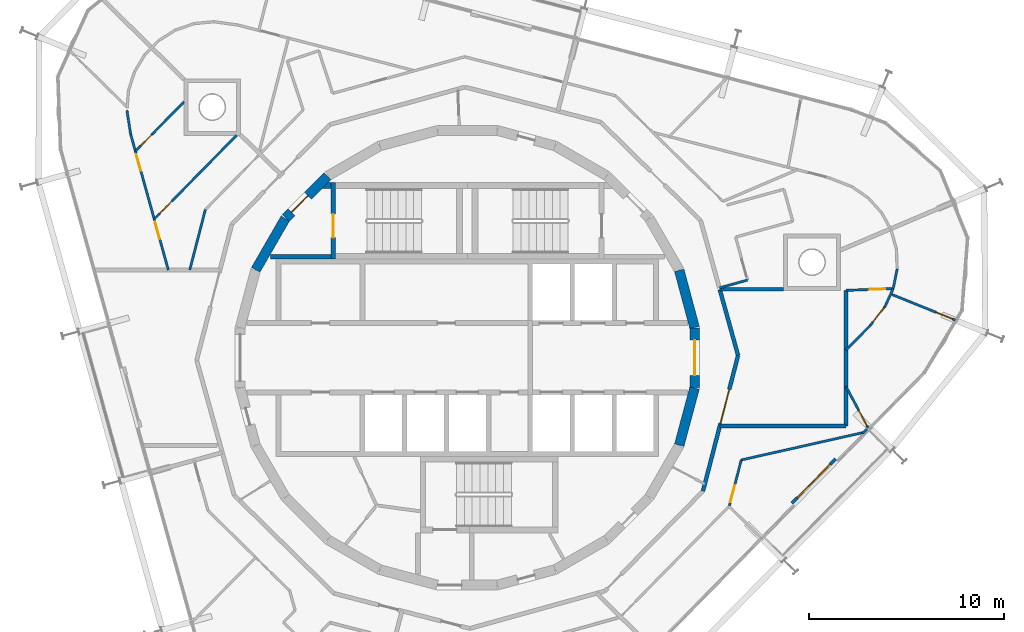
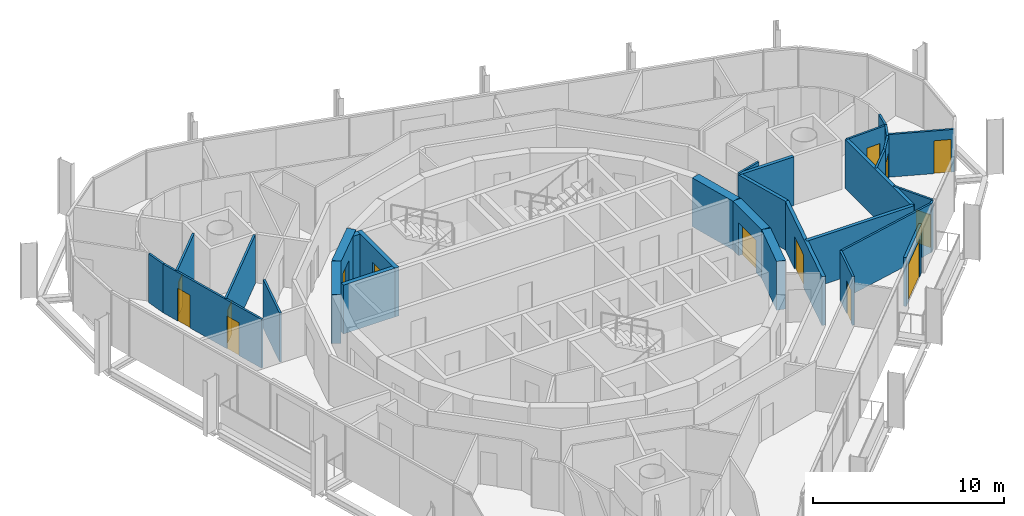
# One storey, part 12 of 15: 30 walls, 14 doors, 14 openings.
"""IFC4 building model written with IfcOpenShell, lengths in metres."""

from ifc_helpers import new_model, si_unit, direction, frame, frame_2d, origin, place, context, subcontext, project, spatial, polyline, rectangle, outline, extrude, material, layer, layer_set, type_object, element, fill, save


model = new_model("IFC4")

# Units and contexts
model_context = context("Model", 3, precision=1e-05, world=origin(), true_north=direction((0.0, 1.0)))
body_context = subcontext(model_context, "Body", "Model", "MODEL_VIEW")
ifc_project = project(units=[si_unit("LENGTHUNIT", "METRE"), si_unit("AREAUNIT", "SQUARE_METRE"), si_unit("VOLUMEUNIT", "CUBIC_METRE"), si_unit("PLANEANGLEUNIT", "RADIAN"), si_unit("MASSUNIT", "GRAM", prefix="KILO")], contexts=[model_context])

# Site, building, storey
site_placement = place(None, origin())
site = spatial("IfcSite", under=ifc_project, at=site_placement, CompositionType="ELEMENT")
building_placement = place(site_placement, origin())
building = spatial("IfcBuilding", under=site, at=building_placement, Name="Spindle Arch Residences", CompositionType="ELEMENT")
storey_placement = place(building_placement, frame((0.0, 0.0, 319.199951171875)))
storey = spatial("IfcBuildingStorey", under=building, at=storey_placement, Name="L82", CompositionType="ELEMENT", Elevation=319.199951171875)

# Wall
ifc_material_1 = material(Name="Concrete C50/60", Category="concrete")
ifc_layer_1 = layer(ifc_material_1, 0.5)
ifc_layer_set_1 = layer_set([ifc_layer_1], Name="Core outline wall 500")
wall_type_1 = type_object("IfcWallType", Name="Core outline wall 500", PredefinedType="SHEAR", material=ifc_layer_set_1)
wall_1_placement = place(storey_placement, frame((10.858154296875, -4.479248046875, 0.0), z_axis=(0.0, 0.0, 1.0), x_axis=(0.258734743916, 0.965948410781, 0.0)))
element("IfcWall", 1, at=wall_1_placement, inside=storey, type_object=wall_type_1, Name="Core outline wall 5", PredefinedType="SHEAR", context=body_context, shape_type="SweptSolid", body=[
    extrude(rectangle(XDim=3.03271484375, YDim=0.5, at=frame_2d((1.516357421875, 0.0))), origin(), (0.0, 0.0, 1.0), 3.1201171875),
])

# Wall, opening, door
wall_2_placement = place(storey_placement, frame((11.647216796875, -1.516357421875, 0.0), z_axis=(0.0, 0.0, 1.0), x_axis=(0.0, 1.0, 0.0)))
wall_2 = element("IfcWall", 2, at=wall_2_placement, inside=storey, type_object=wall_type_1, Name="Core outline wall 6", PredefinedType="SHEAR", context=body_context, shape_type="SweptSolid", body=[
    extrude(rectangle(XDim=3.03271484375, YDim=0.5, at=frame_2d((1.516357421875, 0.0))), origin(), (0.0, 0.0, 1.0), 3.1201171875),
])
opening_1_placement = place(wall_2_placement, frame((0.6162109375, 0.0, 0.0)))
opening_1 = element("IfcOpeningElement", 3, at=opening_1_placement, cuts=wall_2, Name="Opening R8C0-FE01", PredefinedType="OPENING", context=body_context, shape_type="SweptSolid", body=[
    extrude(rectangle(XDim=1.800048828125, YDim=2.10009765625, at=frame_2d((0.89990234375, 1.050048828125))), frame((0.0, 0.260009765625, 0.0), z_axis=(0.0, -1.0, 0.0), x_axis=(1.0, 0.0, 0.0)), (0.0, 0.0, 1.0), 0.52001953125),
])
ifc_material_2 = material(Name="Steel, fire-resisting door", Category="steel")
door_type_1 = type_object("IfcDoorType", Name="Fire-lift lobby door 1800x2100", OperationType="DOUBLE_DOOR_SINGLE_SWING", PredefinedType="DOOR", material=ifc_material_2)
door_1_placement = place(opening_1_placement, origin())
door_1 = element("IfcDoor", 4, at=door_1_placement, inside=storey, type_object=door_type_1, Name="Fire-lift lobby door R8C0-FE01", OperationType="DOUBLE_DOOR_SINGLE_SWING", OverallHeight=2.10009765625, OverallWidth=1.800048828125, PredefinedType="DOOR", context=body_context, shape_type="SweptSolid", body=[
    extrude(rectangle(XDim=1.800048828125, YDim=2.10009765625, at=frame_2d((0.89990234375, 1.050048828125))), frame((0.0, 0.02490234375, 0.0), z_axis=(0.0, -1.0, 0.0), x_axis=(1.0, 0.0, 0.0)), (0.0, 0.0, 1.0), 0.050048828125),
])
fill(opening_1, door_1)

# Wall
wall_3_placement = place(storey_placement, frame((11.642822265625, 1.5498046875, 0.0), z_axis=(0.0, 0.0, 1.0), x_axis=(-0.258734743916, 0.965948410781, 0.0)))
element("IfcWall", 5, at=wall_3_placement, inside=storey, type_object=wall_type_1, Name="Core outline wall 7", PredefinedType="SHEAR", context=body_context, shape_type="SweptSolid", body=[
    extrude(rectangle(XDim=3.03271484375, YDim=0.5, at=frame_2d((1.516357421875, 0.0))), origin(), (0.0, 0.0, 1.0), 3.1201171875),
])

# Wall, opening, door
wall_4_placement = place(storey_placement, frame((-7.163818359375, 9.30810546875, 0.0), z_axis=(0.0, 0.0, 1.0), x_axis=(-0.707106781187, -0.707106781187, 0.0)))
wall_4 = element("IfcWall", 6, at=wall_4_placement, inside=storey, type_object=wall_type_1, Name="Core outline wall 15", PredefinedType="SHEAR", context=body_context, shape_type="SweptSolid", body=[
    extrude(rectangle(XDim=3.032470703125, YDim=0.5, at=frame_2d((1.51611328125, 0.0))), origin(), (0.0, 0.0, 1.0), 3.1201171875),
])
opening_2_placement = place(wall_4_placement, frame((1.416259765625, 0.0, 0.0)))
opening_2 = element("IfcOpeningElement", 7, at=opening_2_placement, cuts=wall_4, Name="Opening R8C0-AD02", PredefinedType="OPENING", context=body_context, shape_type="SweptSolid", body=[
    extrude(rectangle(XDim=1.199951171875, YDim=2.10009765625, at=frame_2d((0.60009765625, 1.050048828125))), frame((0.0, 0.260009765625, 0.0), z_axis=(0.0, -1.0, 0.0), x_axis=(1.0, 0.0, 0.0)), (0.0, 0.0, 1.0), 0.52001953125),
])
ifc_material_3 = material(Name="Steel, fire-resisting door", Category="steel")
door_type_2 = type_object("IfcDoorType", Name="Stair airlock door 1200x2100", OperationType="SINGLE_SWING_LEFT", PredefinedType="DOOR", material=ifc_material_3)
door_2_placement = place(opening_2_placement, origin())
door_2 = element("IfcDoor", 8, at=door_2_placement, inside=storey, type_object=door_type_2, Name="Stair airlock door R8C0-AD02", OperationType="SINGLE_SWING_RIGHT", OverallHeight=2.10009765625, OverallWidth=1.199951171875, PredefinedType="DOOR", context=body_context, shape_type="SweptSolid", body=[
    extrude(rectangle(XDim=1.199951171875, YDim=2.10009765625, at=frame_2d((0.60009765625, 1.050048828125))), frame((0.0, 0.02490234375, 0.0), z_axis=(0.0, -1.0, 0.0), x_axis=(1.0, 0.0, 0.0)), (0.0, 0.0, 1.0), 0.050048828125),
])
fill(opening_2, door_2)

# Wall
wall_5_placement = place(storey_placement, frame((-9.32861328125, 7.13671875, 0.0), z_axis=(0.0, 0.0, 1.0), x_axis=(-0.500087131594, -0.865975092491, 0.0)))
element("IfcWall", 9, at=wall_5_placement, inside=storey, type_object=wall_type_1, Name="Core outline wall 16", PredefinedType="SHEAR", context=body_context, shape_type="SweptSolid", body=[
    extrude(rectangle(XDim=3.03271484375, YDim=0.5, at=frame_2d((1.516357421875, 0.0))), origin(), (0.0, 0.0, 1.0), 3.1201171875),
])

# Wall, opening, door
ifc_material_4 = material(Name="Calcium silicate block, plastered")
ifc_layer_2 = layer(ifc_material_4, 0.199951171875)
ifc_layer_set_2 = layer_set([ifc_layer_2], Name="Fire-lift lobby bay wall 200")
wall_type_2 = type_object("IfcWallType", Name="Fire-lift lobby bay wall 200", PredefinedType="STANDARD", material=ifc_layer_set_2)
wall_6_placement = place(storey_placement, frame((12.07421875, -6.831298828125, 0.0), z_axis=(0.0, 0.0, 1.0), x_axis=(0.250391063186, 0.968144780225, 0.0)))
wall_6 = element("IfcWall", 10, at=wall_6_placement, inside=storey, type_object=wall_type_2, Name="Fire-lift lobby bay wall R8C0-W004", PredefinedType="STANDARD", context=body_context, shape_type="SweptSolid", body=[
    extrude(rectangle(XDim=7.18115234375, YDim=0.199951171875, at=frame_2d((3.590576171875, 0.0))), origin(), (0.0, 0.0, 1.0), 3.1201171875),
])
opening_3_placement = place(wall_6_placement, frame((3.580810546875, 0.0, 0.0)))
opening_3 = element("IfcOpeningElement", 11, at=opening_3_placement, cuts=wall_6, Name="Opening R8C0-FB01", PredefinedType="OPENING", context=body_context, shape_type="SweptSolid", body=[
    extrude(rectangle(XDim=1.800048828125, YDim=2.10009765625, at=frame_2d((0.89990234375, 1.050048828125))), frame((0.0, 0.10986328125, 0.0), z_axis=(0.0, -1.0, 0.0), x_axis=(1.0, 0.0, 0.0)), (0.0, 0.0, 1.0), 0.219970703125),
])
ifc_material_5 = material(Name="Steel, fire-resisting door", Category="steel")
door_type_3 = type_object("IfcDoorType", Name="Fire-lift lobby bay door 1800x2100", OperationType="NOTDEFINED", PredefinedType="DOOR", material=ifc_material_5)
door_3_placement = place(opening_3_placement, origin())
door_3 = element("IfcDoor", 12, at=door_3_placement, inside=storey, type_object=door_type_3, Name="Fire-lift lobby bay door R8C0-FB01", OperationType="DOUBLE_DOOR_SINGLE_SWING", OverallHeight=2.10009765625, OverallWidth=1.800048828125, PredefinedType="DOOR", context=body_context, shape_type="SweptSolid", body=[
    extrude(rectangle(XDim=1.800048828125, YDim=2.10009765625, at=frame_2d((0.89990234375, 1.050048828125))), frame((0.0, 0.02490234375, 0.0), z_axis=(0.0, -1.0, 0.0), x_axis=(1.0, 0.0, 0.0)), (0.0, 0.0, 1.0), 0.050048828125),
])
fill(opening_3, door_3)

# Walls
wall_7_placement = place(storey_placement, frame((13.872314453125, 0.12109375, 0.0), z_axis=(0.0, 0.0, 1.0), x_axis=(-0.267291928416, 0.963615600228, 0.0)))
element("IfcWall", 13, at=wall_7_placement, inside=storey, type_object=wall_type_2, Name="Fire-lift lobby bay wall R8C0-W005", PredefinedType="STANDARD", context=body_context, shape_type="SweptSolid", body=[
    extrude(rectangle(XDim=3.506591796875, YDim=0.199951171875, at=frame_2d((1.75341796875, 0.0))), origin(), (0.0, 0.0, 1.0), 3.1201171875),
])
wall_8_placement = place(storey_placement, frame((16.20263671875, 3.510009765625, 0.0), z_axis=(0.0, 0.0, 1.0), x_axis=(-1.0, 0.0, 0.0)))
element("IfcWall", 14, at=wall_8_placement, inside=storey, type_object=wall_type_2, Name="Fire-lift lobby bay wall R8C0-W019", PredefinedType="STANDARD", context=body_context, shape_type="SweptSolid", body=[
    extrude(rectangle(XDim=3.260009765625, YDim=0.199951171875, at=frame_2d((1.6298828125, 0.0))), origin(), (0.0, 0.0, 1.0), 3.1201171875),
])
wall_9_placement = place(storey_placement, frame((12.935791015625, -3.5, 0.0), z_axis=(0.0, 0.0, 1.0), x_axis=(1.0, 0.0, 0.0)))
element("IfcWall", 15, at=wall_9_placement, inside=storey, type_object=wall_type_2, Name="Fire-lift lobby bay wall R8C0-W020", PredefinedType="STANDARD", context=body_context, shape_type="SweptSolid", body=[
    extrude(rectangle(XDim=6.464111328125, YDim=0.199951171875, at=frame_2d((3.23193359375, 0.0))), origin(), (0.0, 0.0, 1.0), 3.1201171875),
])
wall_10_placement = place(storey_placement, frame((19.39990234375, -3.5, 0.0), z_axis=(0.0, 0.0, 1.0), x_axis=(0.0, 1.0, 0.0)))
element("IfcWall", 16, at=wall_10_placement, inside=storey, type_object=wall_type_2, Name="Fire-lift lobby bay wall R8C0-W021", PredefinedType="STANDARD", context=body_context, shape_type="SweptSolid", body=[
    extrude(rectangle(XDim=6.953857421875, YDim=0.199951171875, at=frame_2d((3.47705078125, 0.0))), origin(), (0.0, 0.0, 1.0), 3.1201171875),
])
ifc_material_6 = material(Name="Plasterboard on steel studs", Category="steel")
ifc_layer_3 = layer(ifc_material_6, 0.1201171875)
ifc_layer_set_3 = layer_set([ifc_layer_3], Name="Flat partition 120")
wall_type_3 = type_object("IfcWallType", Name="Flat partition 120", PredefinedType="PARTITIONING", material=ifc_layer_set_3)
wall_11_placement = place(storey_placement, frame((12.927001953125, 3.5849609375, 0.0), z_axis=(0.0, 0.0, 1.0), x_axis=(0.963616756608, 0.26728775951, 0.0)))
element("IfcWall", 17, at=wall_11_placement, inside=storey, type_object=wall_type_3, Name="Flat partition R8C0-W030", PredefinedType="PARTITIONING", context=body_context, shape_type="SweptSolid", body=[
    extrude(rectangle(XDim=1.485107421875, YDim=0.1201171875, at=frame_2d((0.74267578125, 0.0))), origin(), (0.0, 0.0, 1.0), 3.1201171875),
])
wall_12_placement = place(storey_placement, frame((-13.42578125, 7.595947265625, 0.0), z_axis=(0.0, 0.0, 1.0), x_axis=(-0.250342106136, -0.968157440655, 0.0)))
element("IfcWall", 18, at=wall_12_placement, inside=storey, type_object=wall_type_3, Name="Flat partition R8C0-W058", PredefinedType="PARTITIONING", context=body_context, shape_type="SweptSolid", body=[
    extrude(rectangle(XDim=3.19775390625, YDim=0.1201171875, at=frame_2d((1.598876953125, 0.0))), origin(), (0.0, 0.0, 1.0), 3.1201171875),
])

# Wall, opening, door
wall_13_placement = place(storey_placement, frame((-17.01123046875, 10.582275390625, 0.0), z_axis=(0.0, 0.0, 1.0), x_axis=(0.700924288011, 0.713235685083, 0.0)))
wall_13 = element("IfcWall", 19, at=wall_13_placement, inside=storey, type_object=wall_type_3, Name="Flat partition R8C0-W063", PredefinedType="PARTITIONING", context=body_context, shape_type="SweptSolid", body=[
    extrude(rectangle(XDim=3.549560546875, YDim=0.1201171875, at=frame_2d((1.77490234375, 0.0))), origin(), (0.0, 0.0, 1.0), 3.1201171875),
])
opening_4_placement = place(wall_13_placement, frame((0.39990234375, 0.0, 0.0)))
opening_4 = element("IfcOpeningElement", 20, at=opening_4_placement, cuts=wall_13, Name="Opening R8C0-BD03", PredefinedType="OPENING", context=body_context, shape_type="SweptSolid", body=[
    extrude(rectangle(XDim=0.800048828125, YDim=2.10009765625, at=frame_2d((0.39990234375, 1.050048828125))), frame((0.0, 0.070068359375, 0.0), z_axis=(0.0, -1.0, 0.0), x_axis=(1.0, 0.0, 0.0)), (0.0, 0.0, 1.0), 0.14013671875),
])
ifc_material_7 = material(Name="Timber door set", Category="wood")
door_type_4 = type_object("IfcDoorType", Name="Bathroom door 800x2100", OperationType="NOTDEFINED", PredefinedType="DOOR", material=ifc_material_7)
door_4_placement = place(opening_4_placement, origin())
door_4 = element("IfcDoor", 21, at=door_4_placement, inside=storey, type_object=door_type_4, Name="Bathroom door R8C0-BD03", OperationType="SINGLE_SWING_LEFT", OverallHeight=2.10009765625, OverallWidth=0.800048828125, PredefinedType="DOOR", context=body_context, shape_type="SweptSolid", body=[
    extrude(rectangle(XDim=0.800048828125, YDim=2.10009765625, at=frame_2d((0.39990234375, 1.050048828125))), frame((0.0, 0.02490234375, 0.0), z_axis=(0.0, -1.0, 0.0), x_axis=(1.0, 0.0, 0.0)), (0.0, 0.0, 1.0), 0.050048828125),
])
fill(opening_4, door_4)

# Wall
wall_14_placement = place(storey_placement, frame((-17.44580078125, 12.681640625, 0.0), z_axis=(0.0, 0.0, 1.0), x_axis=(0.153612025092, -0.988131239131, 0.0)))
element("IfcWall", 22, at=wall_14_placement, inside=storey, type_object=wall_type_3, Name="Flat partition R8C0-W064", PredefinedType="PARTITIONING", context=body_context, shape_type="SweptSolid", body=[
    extrude(rectangle(XDim=1.22705078125, YDim=0.1201171875, at=frame_2d((0.613525390625, 0.0))), origin(), (0.0, 0.0, 1.0), 3.1201171875),
])

# Wall, openings, doors
wall_15_placement = place(storey_placement, frame((-17.25732421875, 11.46923828125, 0.0), z_axis=(0.0, 0.0, 1.0), x_axis=(0.267222501114, -0.963634855585, 0.0)))
wall_15 = element("IfcWall", 23, at=wall_15_placement, inside=storey, type_object=wall_type_3, Name="Flat partition R8C0-W065", PredefinedType="PARTITIONING", context=body_context, shape_type="SweptSolid", body=[
    extrude(rectangle(XDim=7.232177734375, YDim=0.1201171875, at=frame_2d((3.6162109375, 0.0))), origin(), (0.0, 0.0, 1.0), 3.1201171875),
])
opening_5_placement = place(wall_15_placement, frame((1.07421875, 0.0, 0.0)))
opening_5 = element("IfcOpeningElement", 24, at=opening_5_placement, cuts=wall_15, Name="Opening R8C0-ID10", PredefinedType="OPENING", context=body_context, shape_type="SweptSolid", body=[
    extrude(rectangle(XDim=0.89990234375, YDim=2.10009765625, at=frame_2d((0.449951171875, 1.050048828125))), frame((0.0, 0.070068359375, 0.0), z_axis=(0.0, -1.0, 0.0), x_axis=(1.0, 0.0, 0.0)), (0.0, 0.0, 1.0), 0.14013671875),
])
opening_6_placement = place(wall_15_placement, frame((4.682373046875, 0.0, 0.0)))
opening_6 = element("IfcOpeningElement", 25, at=opening_6_placement, cuts=wall_15, Name="Opening R8C0-ID12", PredefinedType="OPENING", context=body_context, shape_type="SweptSolid", body=[
    extrude(rectangle(XDim=0.89990234375, YDim=2.10009765625, at=frame_2d((0.449951171875, 1.050048828125))), frame((0.0, 0.070068359375, 0.0), z_axis=(0.0, -1.0, 0.0), x_axis=(1.0, 0.0, 0.0)), (0.0, 0.0, 1.0), 0.14013671875),
])
ifc_material_8 = material(Name="Timber door set", Category="wood")
door_type_5 = type_object("IfcDoorType", Name="Room door 900x2100", OperationType="NOTDEFINED", PredefinedType="DOOR", material=ifc_material_8)
door_5_placement = place(opening_5_placement, origin())
door_5 = element("IfcDoor", 26, at=door_5_placement, inside=storey, type_object=door_type_5, Name="Room door R8C0-ID10", OperationType="SINGLE_SWING_LEFT", OverallHeight=2.10009765625, OverallWidth=0.89990234375, PredefinedType="DOOR", context=body_context, shape_type="SweptSolid", body=[
    extrude(rectangle(XDim=0.89990234375, YDim=2.10009765625, at=frame_2d((0.449951171875, 1.050048828125))), frame((0.0, 0.02490234375, 0.0), z_axis=(0.0, -1.0, 0.0), x_axis=(1.0, 0.0, 0.0)), (0.0, 0.0, 1.0), 0.050048828125),
])
fill(opening_5, door_5)
door_6_placement = place(opening_6_placement, origin())
door_6 = element("IfcDoor", 27, at=door_6_placement, inside=storey, type_object=door_type_5, Name="Room door R8C0-ID12", OperationType="SINGLE_SWING_RIGHT", OverallHeight=2.10009765625, OverallWidth=0.89990234375, PredefinedType="DOOR", context=body_context, shape_type="SweptSolid", body=[
    extrude(rectangle(XDim=0.89990234375, YDim=2.10009765625, at=frame_2d((0.449951171875, 1.050048828125))), frame((0.0, 0.02490234375, 0.0), z_axis=(0.0, -1.0, 0.0), x_axis=(1.0, 0.0, 0.0)), (0.0, 0.0, 1.0), 0.050048828125),
])
fill(opening_6, door_6)

# Wall, opening, door
wall_16_placement = place(storey_placement, frame((-16.047119140625, 7.105224609375, 0.0), z_axis=(0.0, 0.0, 1.0), x_axis=(0.700892382646, 0.713267038316, 0.0)))
wall_16 = element("IfcWall", 28, at=wall_16_placement, inside=storey, type_object=wall_type_3, Name="Flat partition R8C0-W066", PredefinedType="PARTITIONING", context=body_context, shape_type="SweptSolid", body=[
    extrude(rectangle(XDim=6.017333984375, YDim=0.1201171875, at=frame_2d((3.0087890625, 0.0))), origin(), (0.0, 0.0, 1.0), 3.1201171875),
])
opening_7_placement = place(wall_16_placement, frame((0.39990234375, 0.0, 0.0)))
opening_7 = element("IfcOpeningElement", 29, at=opening_7_placement, cuts=wall_16, Name="Opening R8C0-ID09", PredefinedType="OPENING", context=body_context, shape_type="SweptSolid", body=[
    extrude(rectangle(XDim=0.89990234375, YDim=2.10009765625, at=frame_2d((0.449951171875, 1.050048828125))), frame((0.0, 0.070068359375, 0.0), z_axis=(0.0, -1.0, 0.0), x_axis=(1.0, 0.0, 0.0)), (0.0, 0.0, 1.0), 0.14013671875),
])
door_7_placement = place(opening_7_placement, origin())
door_7 = element("IfcDoor", 30, at=door_7_placement, inside=storey, type_object=door_type_5, Name="Room door R8C0-ID09", OperationType="SINGLE_SWING_LEFT", OverallHeight=2.10009765625, OverallWidth=0.89990234375, PredefinedType="DOOR", context=body_context, shape_type="SweptSolid", body=[
    extrude(rectangle(XDim=0.89990234375, YDim=2.10009765625, at=frame_2d((0.449951171875, 1.050048828125))), frame((0.0, 0.02490234375, 0.0), z_axis=(0.0, -1.0, 0.0), x_axis=(1.0, 0.0, 0.0)), (0.0, 0.0, 1.0), 0.050048828125),
])
fill(opening_7, door_7)

wall_17_placement = place(storey_placement, frame((20.534912109375, -3.592529296875, 0.0), z_axis=(0.0, 0.0, 1.0), x_axis=(-0.471340561072, 0.881951288614, 0.0)))
wall_17 = element("IfcWall", 31, at=wall_17_placement, inside=storey, type_object=wall_type_3, Name="Flat partition R8C0-W092", PredefinedType="PARTITIONING", context=body_context, shape_type="SweptSolid", body=[
    extrude(rectangle(XDim=2.407958984375, YDim=0.1201171875, at=frame_2d((1.2041015625, 0.0))), origin(), (0.0, 0.0, 1.0), 3.1201171875),
])
opening_8_placement = place(wall_17_placement, frame((0.1201171875, 0.0, 0.0)))
opening_8 = element("IfcOpeningElement", 32, at=opening_8_placement, cuts=wall_17, Name="Opening R8C0-ID21", PredefinedType="OPENING", context=body_context, shape_type="SweptSolid", body=[
    extrude(rectangle(XDim=0.89990234375, YDim=2.10009765625, at=frame_2d((0.449951171875, 1.050048828125))), frame((0.0, 0.070068359375, 0.0), z_axis=(0.0, -1.0, 0.0), x_axis=(1.0, 0.0, 0.0)), (0.0, 0.0, 1.0), 0.14013671875),
])
door_8_placement = place(opening_8_placement, origin())
door_8 = element("IfcDoor", 33, at=door_8_placement, inside=storey, type_object=door_type_5, Name="Room door R8C0-ID21", OperationType="SINGLE_SWING_RIGHT", OverallHeight=2.10009765625, OverallWidth=0.89990234375, PredefinedType="DOOR", context=body_context, shape_type="SweptSolid", body=[
    extrude(rectangle(XDim=0.89990234375, YDim=2.10009765625, at=frame_2d((0.449951171875, 1.050048828125))), frame((0.0, 0.02490234375, 0.0), z_axis=(0.0, -1.0, 0.0), x_axis=(1.0, 0.0, 0.0)), (0.0, 0.0, 1.0), 0.050048828125),
])
fill(opening_8, door_8)

wall_18_placement = place(storey_placement, frame((13.42578125, -7.595947265625, 0.0), z_axis=(0.0, 0.0, 1.0), x_axis=(0.250402253482, 0.968141886012, 0.0)))
wall_18 = element("IfcWall", 34, at=wall_18_placement, inside=storey, type_object=wall_type_3, Name="Flat partition R8C0-W094", PredefinedType="PARTITIONING", context=body_context, shape_type="SweptSolid", body=[
    extrude(rectangle(XDim=2.4365234375, YDim=0.1201171875, at=frame_2d((1.21826171875, 0.0))), origin(), (0.0, 0.0, 1.0), 3.1201171875),
])
opening_9_placement = place(wall_18_placement, frame((0.199951171875, 0.0, 0.0)))
opening_9 = element("IfcOpeningElement", 35, at=opening_9_placement, cuts=wall_18, Name="Opening R8C0-ID23", PredefinedType="OPENING", context=body_context, shape_type="SweptSolid", body=[
    extrude(rectangle(XDim=0.89990234375, YDim=2.10009765625, at=frame_2d((0.449951171875, 1.050048828125))), frame((0.0, 0.070068359375, 0.0), z_axis=(0.0, -1.0, 0.0), x_axis=(1.0, 0.0, 0.0)), (0.0, 0.0, 1.0), 0.14013671875),
])
door_9_placement = place(opening_9_placement, origin())
door_9 = element("IfcDoor", 36, at=door_9_placement, inside=storey, type_object=door_type_5, Name="Room door R8C0-ID23", OperationType="SINGLE_SWING_RIGHT", OverallHeight=2.10009765625, OverallWidth=0.89990234375, PredefinedType="DOOR", context=body_context, shape_type="SweptSolid", body=[
    extrude(rectangle(XDim=0.89990234375, YDim=2.10009765625, at=frame_2d((0.449951171875, 1.050048828125))), frame((0.0, 0.02490234375, 0.0), z_axis=(0.0, -1.0, 0.0), x_axis=(1.0, 0.0, 0.0)), (0.0, 0.0, 1.0), 0.050048828125),
])
fill(opening_9, door_9)

# Walls
wall_19_placement = place(storey_placement, frame((14.035888671875, -5.237060546875, 0.0), z_axis=(0.0, 0.0, 1.0), x_axis=(0.975645756324, 0.219352132805, 0.0)))
element("IfcWall", 37, at=wall_19_placement, inside=storey, type_object=wall_type_3, Name="Flat partition R8C0-W095", PredefinedType="PARTITIONING", context=body_context, shape_type="SweptSolid", body=[
    extrude(rectangle(XDim=6.42431640625, YDim=0.1201171875, at=frame_2d((3.212158203125, 0.0))), origin(), (0.0, 0.0, 1.0), 3.1201171875),
])
wall_20_placement = place(storey_placement, frame((20.471435546875, -3.6572265625, 0.0), z_axis=(0.0, 0.0, 1.0), x_axis=(-0.700842635321, -0.713315919153, 0.0)))
element("IfcWall", 38, at=wall_20_placement, inside=storey, type_object=wall_type_3, Name="Flat partition R8C0-W096", PredefinedType="PARTITIONING", context=body_context, shape_type="SweptSolid", body=[
    extrude(rectangle(XDim=0.313232421875, YDim=0.1201171875, at=frame_2d((0.15673828125, 0.0))), origin(), (0.0, 0.0, 1.0), 3.1201171875),
])
wall_21_placement = place(storey_placement, frame((21.827880859375, 3.558349609375, 0.0), z_axis=(0.0, 0.0, 1.0), x_axis=(-0.414726005229, -0.909946339399, 0.0)))
element("IfcWall", 39, at=wall_21_placement, inside=storey, type_object=wall_type_3, Name="Flat partition R8C0-W097", PredefinedType="PARTITIONING", context=body_context, shape_type="SweptSolid", body=[
    extrude(rectangle(XDim=1.01611328125, YDim=0.1201171875, at=frame_2d((0.508056640625, 0.0))), origin(), (0.0, 0.0, 1.0), 3.1201171875),
])

# Wall, opening, door
wall_22_placement = place(storey_placement, frame((21.406494140625, 2.6337890625, 0.0), z_axis=(0.0, 0.0, 1.0), x_axis=(-0.613444581667, -0.789737769911, 0.0)))
wall_22 = element("IfcWall", 40, at=wall_22_placement, inside=storey, type_object=wall_type_3, Name="Flat partition R8C0-W098", PredefinedType="PARTITIONING", context=body_context, shape_type="SweptSolid", body=[
    extrude(rectangle(XDim=1.22705078125, YDim=0.1201171875, at=frame_2d((0.613525390625, 0.0))), origin(), (0.0, 0.0, 1.0), 3.1201171875),
])
opening_10_placement = place(wall_22_placement, frame((0.1201171875, 0.0, 0.0)))
opening_10 = element("IfcOpeningElement", 41, at=opening_10_placement, cuts=wall_22, Name="Opening R8C0-ID24", PredefinedType="OPENING", context=body_context, shape_type="SweptSolid", body=[
    extrude(rectangle(XDim=0.89990234375, YDim=2.10009765625, at=frame_2d((0.449951171875, 1.050048828125))), frame((0.0, 0.070068359375, 0.0), z_axis=(0.0, -1.0, 0.0), x_axis=(1.0, 0.0, 0.0)), (0.0, 0.0, 1.0), 0.14013671875),
])
door_10_placement = place(opening_10_placement, origin())
door_10 = element("IfcDoor", 42, at=door_10_placement, inside=storey, type_object=door_type_5, Name="Room door R8C0-ID24", OperationType="SINGLE_SWING_RIGHT", OverallHeight=2.10009765625, OverallWidth=0.89990234375, PredefinedType="DOOR", context=body_context, shape_type="SweptSolid", body=[
    extrude(rectangle(XDim=0.89990234375, YDim=2.10009765625, at=frame_2d((0.449951171875, 1.050048828125))), frame((0.0, 0.02490234375, 0.0), z_axis=(0.0, -1.0, 0.0), x_axis=(1.0, 0.0, 0.0)), (0.0, 0.0, 1.0), 0.050048828125),
])
fill(opening_10, door_10)

# Wall
wall_23_placement = place(storey_placement, frame((20.65380859375, 1.664794921875, 0.0), z_axis=(0.0, 0.0, 1.0), x_axis=(-0.700870484553, -0.713288555833, 0.0)))
element("IfcWall", 43, at=wall_23_placement, inside=storey, type_object=wall_type_3, Name="Flat partition R8C0-W099", PredefinedType="PARTITIONING", context=body_context, shape_type="SweptSolid", body=[
    extrude(rectangle(XDim=1.7890625, YDim=0.1201171875, at=frame_2d((0.89453125, 0.0))), origin(), (0.0, 0.0, 1.0), 3.1201171875),
])

# Wall, opening, door
wall_24_placement = place(storey_placement, frame((21.822021484375, 3.54541015625, 0.0), z_axis=(0.0, 0.0, 1.0), x_axis=(-0.999286397149, -0.037771635816, 0.0)))
wall_24 = element("IfcWall", 44, at=wall_24_placement, inside=storey, type_object=wall_type_3, Name="Flat partition R8C0-W101", PredefinedType="PARTITIONING", context=body_context, shape_type="SweptSolid", body=[
    extrude(rectangle(XDim=2.423828125, YDim=0.1201171875, at=frame_2d((1.2119140625, 0.0))), origin(), (0.0, 0.0, 1.0), 3.1201171875),
])
opening_11_placement = place(wall_24_placement, frame((0.39990234375, 0.0, 0.0)))
opening_11 = element("IfcOpeningElement", 45, at=opening_11_placement, cuts=wall_24, Name="Opening R8C0-BD06", PredefinedType="OPENING", context=body_context, shape_type="SweptSolid", body=[
    extrude(rectangle(XDim=0.800048828125, YDim=2.10009765625, at=frame_2d((0.39990234375, 1.050048828125))), frame((0.0, 0.070068359375, 0.0), z_axis=(0.0, -1.0, 0.0), x_axis=(1.0, 0.0, 0.0)), (0.0, 0.0, 1.0), 0.14013671875),
])
door_11_placement = place(opening_11_placement, origin())
door_11 = element("IfcDoor", 46, at=door_11_placement, inside=storey, type_object=door_type_4, Name="Bathroom door R8C0-BD06", OperationType="SINGLE_SWING_RIGHT", OverallHeight=2.10009765625, OverallWidth=0.800048828125, PredefinedType="DOOR", context=body_context, shape_type="SweptSolid", body=[
    extrude(rectangle(XDim=0.800048828125, YDim=2.10009765625, at=frame_2d((0.39990234375, 1.050048828125))), frame((0.0, 0.02490234375, 0.0), z_axis=(0.0, -1.0, 0.0), x_axis=(1.0, 0.0, 0.0)), (0.0, 0.0, 1.0), 0.050048828125),
])
fill(opening_11, door_11)

# Wall
wall_25_placement = place(storey_placement, frame((22.024658203125, 4.554931640625, 0.0), z_axis=(0.0, 0.0, 1.0), x_axis=(-0.193712169286, -0.981058405739, 0.0)))
element("IfcWall", 47, at=wall_25_placement, inside=storey, type_object=wall_type_3, Name="Flat partition R8C0-W104", PredefinedType="PARTITIONING", context=body_context, shape_type="SweptSolid", body=[
    extrude(rectangle(XDim=1.015869140625, YDim=0.1201171875, at=frame_2d((0.5078125, 0.0))), origin(), (0.0, 0.0, 1.0), 3.1201171875),
])

# Wall, opening, door
ifc_material_9 = material(Name="Plasterboard on steel studs", Category="steel")
ifc_layer_4 = layer(ifc_material_9, 0.1201171875)
ifc_layer_set_4 = layer_set([ifc_layer_4], Name="Flat partition 120 under beam 2730")
wall_type_4 = type_object("IfcWallType", Name="Flat partition 120 under beam 2730", PredefinedType="PARTITIONING", material=ifc_layer_set_4)
wall_26_placement = place(storey_placement, frame((25.0361328125, 1.917236328125, 0.0), z_axis=(0.0, 0.0, 1.0), x_axis=(-0.927096540393, 0.374822631108, 0.0)))
wall_26 = element("IfcWall", 48, at=wall_26_placement, inside=storey, type_object=wall_type_4, Name="Flat partition R8C0-W100", PredefinedType="PARTITIONING", context=body_context, shape_type="SweptSolid", body=[
    extrude(rectangle(XDim=3.603271484375, YDim=0.1201171875, at=frame_2d((1.8017578125, 0.0))), origin(), (0.0, 0.0, 1.0), 2.72998046875),
])
opening_12_placement = place(wall_26_placement, frame((0.199951171875, 0.0, 0.0)))
opening_12 = element("IfcOpeningElement", 49, at=opening_12_placement, cuts=wall_26, Name="Opening R8C0-ID25", PredefinedType="OPENING", context=body_context, shape_type="SweptSolid", body=[
    extrude(rectangle(XDim=0.89990234375, YDim=2.10009765625, at=frame_2d((0.449951171875, 1.050048828125))), frame((0.0, 0.070068359375, 0.0), z_axis=(0.0, -1.0, 0.0), x_axis=(1.0, 0.0, 0.0)), (0.0, 0.0, 1.0), 0.14013671875),
])
door_12_placement = place(opening_12_placement, origin())
door_12 = element("IfcDoor", 50, at=door_12_placement, inside=storey, type_object=door_type_5, Name="Room door R8C0-ID25", OperationType="SINGLE_SWING_RIGHT", OverallHeight=2.10009765625, OverallWidth=0.89990234375, PredefinedType="DOOR", context=body_context, shape_type="SweptSolid", body=[
    extrude(rectangle(XDim=0.89990234375, YDim=2.10009765625, at=frame_2d((0.449951171875, 1.050048828125))), frame((0.0, 0.02490234375, 0.0), z_axis=(0.0, -1.0, 0.0), x_axis=(1.0, 0.0, 0.0)), (0.0, 0.0, 1.0), 0.050048828125),
])
fill(opening_12, door_12)

ifc_material_10 = material(Name="Non-combustible mineral wool insulated aluminium faced external wall (K0)", Category="aluminium")
ifc_layer_5 = layer(ifc_material_10, 0.159912109375)
ifc_layer_set_5 = layer_set([ifc_layer_5], Name="Insulated external wall panel 160")
wall_type_5 = type_object("IfcWallType", Name="Insulated external wall panel 160", PredefinedType="STANDARD", material=ifc_layer_set_5)
wall_27_placement = place(storey_placement, frame((16.6259765625, -7.456298828125, 0.0), z_axis=(0.0, 0.0, 1.0), x_axis=(0.700900076932, 0.713259477439, 0.0)))
wall_27 = element("IfcWall", 51, at=wall_27_placement, inside=storey, type_object=wall_type_5, Name="External wall L82 bay 1", PredefinedType="STANDARD", context=body_context, shape_type="SweptSolid", body=[
    extrude(rectangle(XDim=3.199951171875, YDim=0.159912109375, at=frame_2d((1.60009765625, 0.0))), origin(), (0.0, 0.0, 1.0), 3.1201171875),
])
opening_13_placement = place(wall_27_placement, frame((0.39990234375, 0.0, 0.0)))
opening_13 = element("IfcOpeningElement", 52, at=opening_13_placement, cuts=wall_27, Name="Opening BD01", PredefinedType="OPENING", context=body_context, shape_type="SweptSolid", body=[
    extrude(rectangle(XDim=2.39990234375, YDim=2.39990234375, at=frame_2d((1.199951171875, 1.199951171875))), frame((0.0, 0.08984375, 0.0), z_axis=(0.0, -1.0, 0.0), x_axis=(1.0, 0.0, 0.0)), (0.0, 0.0, 1.0), 0.179931640625),
])
ifc_material_11 = material(Name="Bronze aluminium frame, tinted double glazing", Category="aluminium")
door_type_6 = type_object("IfcDoorType", Name="Sliding glazed balcony door 2400x2400", OperationType="DOUBLE_DOOR_SLIDING", PredefinedType="DOOR", material=ifc_material_11)
door_13_placement = place(opening_13_placement, origin())
door_13 = element("IfcDoor", 53, at=door_13_placement, inside=storey, type_object=door_type_6, Name="Balcony door BD01", OperationType="DOUBLE_DOOR_SLIDING", OverallHeight=2.39990234375, OverallWidth=2.39990234375, PredefinedType="DOOR", context=body_context, shape_type="SweptSolid", body=[
    extrude(rectangle(XDim=2.39990234375, YDim=2.39990234375, at=frame_2d((1.199951171875, 1.199951171875))), frame((0.0, 0.02490234375, 0.0), z_axis=(0.0, -1.0, 0.0), x_axis=(1.0, 0.0, 0.0)), (0.0, 0.0, 1.0), 0.050048828125),
])
fill(opening_13, door_13)

# Walls
ifc_material_12 = material(Name="Concrete C40/50", Category="concrete")
ifc_layer_6 = layer(ifc_material_12, 0.25)
ifc_layer_set_6 = layer_set([ifc_layer_6], Name="Stair airlock wall 250")
wall_type_6 = type_object("IfcWallType", Name="Stair airlock wall 250", PredefinedType="SHEAR", material=ifc_layer_set_6)
wall_28_placement = place(storey_placement, frame((-7.0, 5.175048828125, 0.0), z_axis=(0.0, 0.0, 1.0), x_axis=(-1.0, 0.0, 0.0)))
element("IfcWall", 54, at=wall_28_placement, inside=storey, type_object=wall_type_6, Name="Stair ST-2 airlock wall S", PredefinedType="SHEAR", context=body_context, shape_type="SweptSolid", body=[
    extrude(rectangle(XDim=3.10009765625, YDim=0.25, at=frame_2d((1.550048828125, 0.0))), origin(), (0.0, 0.0, 1.0), 3.1201171875),
])
ifc_material_13 = material(Name="Concrete C40/50", Category="concrete")
wall_type_7 = type_object("IfcWallType", Name="Stair airlock wall profile", PredefinedType="SHEAR", material=ifc_material_13)
wall_29_placement = place(storey_placement, origin())
element("IfcWall", 55, at=wall_29_placement, inside=storey, type_object=wall_type_7, Name="Stair ST-2 airlock wall N", PredefinedType="SHEAR", context=body_context, shape_type="SweptSolid", body=[
    extrude(outline(polyline([(-7.148193359375, 8.969970703125), (-7.0, 8.969970703125), (-7.0, 8.669921875), (-7.4482421875, 8.669921875), (-7.148193359375, 8.969970703125)])), origin(), (0.0, 0.0, 1.0), 3.1201171875),
])

# Wall, opening, door
ifc_material_14 = material(Name="Concrete C50/60", Category="concrete")
ifc_layer_7 = layer(ifc_material_14, 0.25)
ifc_layer_set_7 = layer_set([ifc_layer_7], Name="Stair enclosure wall 250")
wall_type_8 = type_object("IfcWallType", Name="Stair enclosure wall 250", PredefinedType="SHEAR", material=ifc_layer_set_7)
wall_30_placement = place(storey_placement, frame((-6.875, 8.969970703125, 0.0), z_axis=(0.0, 0.0, 1.0), x_axis=(0.0, -1.0, 0.0)))
wall_30 = element("IfcWall", 56, at=wall_30_placement, inside=storey, type_object=wall_type_8, Name="Stair ST-2 door wall", PredefinedType="SHEAR", context=body_context, shape_type="SweptSolid", body=[
    extrude(rectangle(XDim=3.919921875, YDim=0.25, at=frame_2d((1.9599609375, 0.0))), origin(), (0.0, 0.0, 1.0), 3.1201171875),
])
opening_14_placement = place(wall_30_placement, frame((1.610107421875, 0.0, 0.0)))
opening_14 = element("IfcOpeningElement", 57, at=opening_14_placement, cuts=wall_30, Name="Opening R8C0-SD02", PredefinedType="OPENING", context=body_context, shape_type="SweptSolid", body=[
    extrude(rectangle(XDim=1.199951171875, YDim=2.10009765625, at=frame_2d((0.60009765625, 1.050048828125))), frame((0.0, 0.135009765625, 0.0), z_axis=(0.0, -1.0, 0.0), x_axis=(1.0, 0.0, 0.0)), (0.0, 0.0, 1.0), 0.27001953125),
])
ifc_material_15 = material(Name="Steel, fire-resisting door", Category="steel")
door_type_7 = type_object("IfcDoorType", Name="Stair door 1200x2100", OperationType="SINGLE_SWING_RIGHT", PredefinedType="DOOR", material=ifc_material_15)
door_14_placement = place(opening_14_placement, origin())
door_14 = element("IfcDoor", 58, at=door_14_placement, inside=storey, type_object=door_type_7, Name="Stair door R8C0-SD02", OperationType="SINGLE_SWING_LEFT", OverallHeight=2.10009765625, OverallWidth=1.199951171875, PredefinedType="DOOR", context=body_context, shape_type="SweptSolid", body=[
    extrude(rectangle(XDim=1.199951171875, YDim=2.10009765625, at=frame_2d((0.60009765625, 1.050048828125))), frame((0.0, 0.02490234375, 0.0), z_axis=(0.0, -1.0, 0.0), x_axis=(1.0, 0.0, 0.0)), (0.0, 0.0, 1.0), 0.050048828125),
])
fill(opening_14, door_14)

save(model, "model.ifc")
